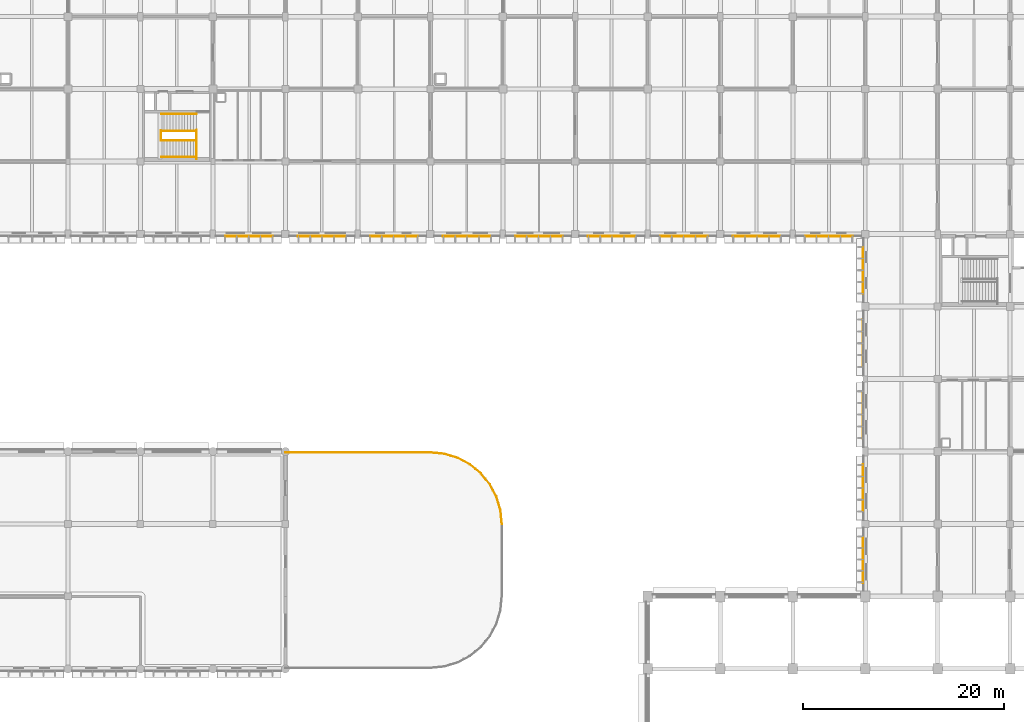
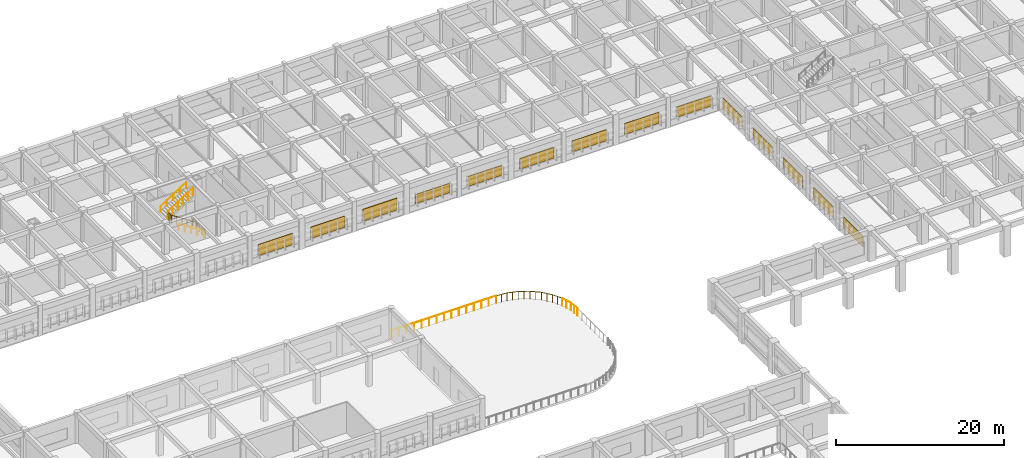
# One storey, part 60 of 61: 16 railings, 14 shading devices.
"""IFC4 building model written with IfcOpenShell, lengths in metres."""

from ifc_helpers import new_model, si_unit, direction, frame, origin, origin_2d, place, context, subcontext, project, spatial, rectangle, circle, extrude, material, layer, layer_set, type_object, element, save


model = new_model("IFC4")

# Units and contexts
model_context = context("Model", 3, precision=1e-05, world=origin(), true_north=direction((0.0, 1.0)))
body_context = subcontext(model_context, "Body", "Model", "MODEL_VIEW")
ifc_project = project(units=[si_unit("LENGTHUNIT", "METRE"), si_unit("AREAUNIT", "SQUARE_METRE"), si_unit("VOLUMEUNIT", "CUBIC_METRE"), si_unit("PLANEANGLEUNIT", "RADIAN"), si_unit("MASSUNIT", "GRAM", prefix="KILO")], contexts=[model_context])

# Site, building, storey
site_placement = place(None, origin())
site = spatial("IfcSite", under=ifc_project, at=site_placement, CompositionType="ELEMENT")
building_placement = place(site_placement, origin())
building = spatial("IfcBuilding", under=site, at=building_placement, Name="Thalmaran Polytechnic", CompositionType="ELEMENT")
storey_placement = place(building_placement, frame((0.0, 0.0, 9.89990234375)))
storey = spatial("IfcBuildingStorey", under=building, at=storey_placement, Name="L02", CompositionType="ELEMENT", Elevation=9.89990234375)

# Railings
ifc_material_1 = material(Name="Stainless steel 316 and laminated glass", Category="steel")
railing_type_1 = type_object("IfcRailingType", Name="RL-BL01", PredefinedType="BALUSTRADE", material=ifc_material_1)
railing_1_placement = place(storey_placement, frame((72.010009765625, 71.89990234375, 0.0)))
element("IfcRailing", 1, at=railing_1_placement, inside=storey, type_object=railing_type_1, Name="Terrace Balustrade Guard L02-1-1", PredefinedType="BALUSTRADE", context=body_context, shape_type="SweptSolid", body=[
    extrude(circle(Radius=0.02392578125, at=origin_2d()), frame((0.0, 0.0, 1.1259765625), z_axis=(1.0, 0.0, 0.0), x_axis=(0.0, 1.0, 0.0)), (0.0, 0.0, 1.0), 7.237548828125),
    extrude(circle(Radius=0.02099609375, at=origin_2d()), origin(), (0.0, 0.0, 1.0), 1.101806640625),
    extrude(circle(Radius=0.02099609375, at=origin_2d()), frame((1.033935546875, 0.0, 0.0)), (0.0, 0.0, 1.0), 1.101806640625),
    extrude(circle(Radius=0.02099609375, at=origin_2d()), frame((2.06787109375, 0.0, 0.0)), (0.0, 0.0, 1.0), 1.101806640625),
    extrude(circle(Radius=0.02099609375, at=origin_2d()), frame((3.101806640625, 0.0, 0.0)), (0.0, 0.0, 1.0), 1.101806640625),
    extrude(circle(Radius=0.02099609375, at=origin_2d()), frame((4.1357421875, 0.0, 0.0)), (0.0, 0.0, 1.0), 1.101806640625),
    extrude(circle(Radius=0.02099609375, at=origin_2d()), frame((5.169677734375, 0.0, 0.0)), (0.0, 0.0, 1.0), 1.101806640625),
    extrude(circle(Radius=0.02099609375, at=origin_2d()), frame((6.20361328125, 0.0, 0.0)), (0.0, 0.0, 1.0), 1.101806640625),
    extrude(circle(Radius=0.02099609375, at=origin_2d()), frame((7.237548828125, 0.0, 0.0)), (0.0, 0.0, 1.0), 1.101806640625),
])
railing_2_placement = place(storey_placement, frame((79.24755859375, 71.89990234375, 0.0)))
element("IfcRailing", 2, at=railing_2_placement, inside=storey, type_object=railing_type_1, Name="Terrace Balustrade Guard L02-1-2", PredefinedType="BALUSTRADE", context=body_context, shape_type="SweptSolid", body=[
    extrude(circle(Radius=0.02392578125, at=origin_2d()), frame((0.0, 0.0, 1.1259765625), z_axis=(1.0, 0.0, 0.0), x_axis=(0.0, 1.0, 0.0)), (0.0, 0.0, 1.0), 7.1474609375),
    extrude(circle(Radius=0.02099609375, at=origin_2d()), origin(), (0.0, 0.0, 1.0), 1.101806640625),
    extrude(circle(Radius=0.02099609375, at=origin_2d()), frame((1.02099609375, 0.0, 0.0)), (0.0, 0.0, 1.0), 1.101806640625),
    extrude(circle(Radius=0.02099609375, at=origin_2d()), frame((2.042236328125, 0.0, 0.0)), (0.0, 0.0, 1.0), 1.101806640625),
    extrude(circle(Radius=0.02099609375, at=origin_2d()), frame((3.063232421875, 0.0, 0.0)), (0.0, 0.0, 1.0), 1.101806640625),
    extrude(circle(Radius=0.02099609375, at=origin_2d()), frame((4.084228515625, 0.0, 0.0)), (0.0, 0.0, 1.0), 1.101806640625),
    extrude(circle(Radius=0.02099609375, at=origin_2d()), frame((5.105224609375, 0.0, 0.0)), (0.0, 0.0, 1.0), 1.101806640625),
    extrude(circle(Radius=0.02099609375, at=origin_2d()), frame((6.12646484375, 0.0, 0.0)), (0.0, 0.0, 1.0), 1.101806640625),
    extrude(circle(Radius=0.02099609375, at=origin_2d()), frame((7.1474609375, 0.0, 0.0)), (0.0, 0.0, 1.0), 1.101806640625),
])
railing_3_placement = place(storey_placement, frame((86.39501953125, 71.89990234375, 0.0)))
element("IfcRailing", 3, at=railing_3_placement, inside=storey, type_object=railing_type_1, Name="Terrace Balustrade Guard L02-1-3", PredefinedType="BALUSTRADE", context=body_context, shape_type="SweptSolid", body=[
    extrude(circle(Radius=0.02392578125, at=origin_2d()), frame((0.0, 0.0, 1.1259765625), z_axis=(0.995198527319, -0.097876918739, 0.0), x_axis=(0.097876918739, 0.995198527319, 0.0)), (0.0, 0.0, 1.0), 1.396728515625),
    extrude(circle(Radius=0.02099609375, at=origin_2d()), origin(), (0.0, 0.0, 1.0), 1.101806640625),
    extrude(circle(Radius=0.02099609375, at=origin_2d()), frame((0.695068359375, -0.068359375, 0.0)), (0.0, 0.0, 1.0), 1.101806640625),
    extrude(circle(Radius=0.02099609375, at=origin_2d()), frame((1.39013671875, -0.13671875, 0.0)), (0.0, 0.0, 1.0), 1.101806640625),
])
railing_4_placement = place(storey_placement, frame((87.78515625, 71.76318359375, 0.0)))
element("IfcRailing", 4, at=railing_4_placement, inside=storey, type_object=railing_type_1, Name="Terrace Balustrade Guard L02-1-4", PredefinedType="BALUSTRADE", context=body_context, shape_type="SweptSolid", body=[
    extrude(circle(Radius=0.02392578125, at=origin_2d()), frame((0.0, 0.0, 1.1259765625), z_axis=(0.956928452637, -0.290323847684, 0.0), x_axis=(0.290323847684, 0.956928452637, 0.0)), (0.0, 0.0, 1.0), 1.391845703125),
    extrude(circle(Radius=0.02099609375, at=origin_2d()), origin(), (0.0, 0.0, 1.0), 1.101806640625),
    extrude(circle(Radius=0.02099609375, at=origin_2d()), frame((0.666015625, -0.2021484375, 0.0)), (0.0, 0.0, 1.0), 1.101806640625),
    extrude(circle(Radius=0.02099609375, at=origin_2d()), frame((1.331787109375, -0.404052734375, 0.0)), (0.0, 0.0, 1.0), 1.101806640625),
])
railing_5_placement = place(storey_placement, frame((89.116943359375, 71.359130859375, 0.0)))
element("IfcRailing", 5, at=railing_5_placement, inside=storey, type_object=railing_type_1, Name="Terrace Balustrade Guard L02-1-5", PredefinedType="BALUSTRADE", context=body_context, shape_type="SweptSolid", body=[
    extrude(circle(Radius=0.02392578125, at=origin_2d()), frame((0.0, 0.0, 1.1259765625), z_axis=(0.88192035123, -0.471398445147, 0.0), x_axis=(0.471398445147, 0.88192035123, 0.0)), (0.0, 0.0, 1.0), 1.3916015625),
    extrude(circle(Radius=0.02099609375, at=origin_2d()), origin(), (0.0, 0.0, 1.0), 1.101806640625),
    extrude(circle(Radius=0.02099609375, at=origin_2d()), frame((0.61376953125, -0.328125, 0.0)), (0.0, 0.0, 1.0), 1.101806640625),
    extrude(circle(Radius=0.02099609375, at=origin_2d()), frame((1.227294921875, -0.656005859375, 0.0)), (0.0, 0.0, 1.0), 1.101806640625),
])
railing_6_placement = place(storey_placement, frame((90.34423828125, 70.703125, 0.0)))
element("IfcRailing", 6, at=railing_6_placement, inside=storey, type_object=railing_type_1, Name="Terrace Balustrade Guard L02-1-6", PredefinedType="BALUSTRADE", context=body_context, shape_type="SweptSolid", body=[
    extrude(circle(Radius=0.02392578125, at=origin_2d()), frame((0.0, 0.0, 1.1259765625), z_axis=(0.772987351952, -0.634421432269, 0.0), x_axis=(0.634421432269, 0.772987351952, 0.0)), (0.0, 0.0, 1.0), 1.391845703125),
    extrude(circle(Radius=0.02099609375, at=origin_2d()), origin(), (0.0, 0.0, 1.0), 1.101806640625),
    extrude(circle(Radius=0.02099609375, at=origin_2d()), frame((0.5380859375, -0.44140625, 0.0)), (0.0, 0.0, 1.0), 1.101806640625),
    extrude(circle(Radius=0.02099609375, at=origin_2d()), frame((1.075927734375, -0.883056640625, 0.0)), (0.0, 0.0, 1.0), 1.101806640625),
])
railing_7_placement = place(storey_placement, frame((91.420166015625, 69.820068359375, 0.0)))
element("IfcRailing", 7, at=railing_7_placement, inside=storey, type_object=railing_type_1, Name="Terrace Balustrade Guard L02-1-7", PredefinedType="BALUSTRADE", context=body_context, shape_type="SweptSolid", body=[
    extrude(circle(Radius=0.02392578125, at=origin_2d()), frame((0.0, 0.0, 1.1259765625), z_axis=(0.634402640412, -0.773002774794, 0.0), x_axis=(0.773002774794, 0.634402640412, 0.0)), (0.0, 0.0, 1.0), 1.3916015625),
    extrude(circle(Radius=0.02099609375, at=origin_2d()), origin(), (0.0, 0.0, 1.0), 1.101806640625),
    extrude(circle(Radius=0.02099609375, at=origin_2d()), frame((0.44140625, -0.537841796875, 0.0)), (0.0, 0.0, 1.0), 1.101806640625),
    extrude(circle(Radius=0.02099609375, at=origin_2d()), frame((0.8828125, -1.07568359375, 0.0)), (0.0, 0.0, 1.0), 1.101806640625),
])
railing_8_placement = place(storey_placement, frame((92.302978515625, 68.744384765625, 0.0)))
element("IfcRailing", 8, at=railing_8_placement, inside=storey, type_object=railing_type_1, Name="Terrace Balustrade Guard L02-1-8", PredefinedType="BALUSTRADE", context=body_context, shape_type="SweptSolid", body=[
    extrude(circle(Radius=0.02392578125, at=origin_2d()), frame((0.0, 0.0, 1.1259765625), z_axis=(0.471325519482, -0.881959327115, 0.0), x_axis=(0.881959327115, 0.471325519482, 0.0)), (0.0, 0.0, 1.0), 1.391845703125),
    extrude(circle(Radius=0.02099609375, at=origin_2d()), origin(), (0.0, 0.0, 1.0), 1.101806640625),
    extrude(circle(Radius=0.02099609375, at=origin_2d()), frame((0.328125, -0.61376953125, 0.0)), (0.0, 0.0, 1.0), 1.101806640625),
    extrude(circle(Radius=0.02099609375, at=origin_2d()), frame((0.656005859375, -1.2275390625, 0.0)), (0.0, 0.0, 1.0), 1.101806640625),
])
railing_9_placement = place(storey_placement, frame((92.958984375, 67.516845703125, 0.0)))
element("IfcRailing", 9, at=railing_9_placement, inside=storey, type_object=railing_type_1, Name="Terrace Balustrade Guard L02-1-9", PredefinedType="BALUSTRADE", context=body_context, shape_type="SweptSolid", body=[
    extrude(circle(Radius=0.02392578125, at=origin_2d()), frame((0.0, 0.0, 1.1259765625), z_axis=(0.290323847684, -0.956928452637, 0.0), x_axis=(0.956928452637, 0.290323847684, 0.0)), (0.0, 0.0, 1.0), 1.391845703125),
    extrude(circle(Radius=0.02099609375, at=origin_2d()), origin(), (0.0, 0.0, 1.0), 1.101806640625),
    extrude(circle(Radius=0.02099609375, at=origin_2d()), frame((0.2021484375, -0.666015625, 0.0)), (0.0, 0.0, 1.0), 1.101806640625),
    extrude(circle(Radius=0.02099609375, at=origin_2d()), frame((0.404052734375, -1.331787109375, 0.0)), (0.0, 0.0, 1.0), 1.101806640625),
])
railing_10_placement = place(storey_placement, frame((93.363037109375, 66.18505859375, 0.0)))
element("IfcRailing", 10, at=railing_10_placement, inside=storey, type_object=railing_type_1, Name="Terrace Balustrade Guard L02-1-10", PredefinedType="BALUSTRADE", context=body_context, shape_type="SweptSolid", body=[
    extrude(circle(Radius=0.02392578125, at=origin_2d()), frame((0.0, 0.0, 1.1259765625), z_axis=(0.098067077419, -0.995179807033, 0.0), x_axis=(0.995179807033, 0.098067077419, 0.0)), (0.0, 0.0, 1.0), 1.396728515625),
    extrude(circle(Radius=0.02099609375, at=origin_2d()), origin(), (0.0, 0.0, 1.0), 1.101806640625),
    extrude(circle(Radius=0.02099609375, at=origin_2d()), frame((0.068359375, -0.69482421875, 0.0)), (0.0, 0.0, 1.0), 1.101806640625),
    extrude(circle(Radius=0.02099609375, at=origin_2d()), frame((0.136962890625, -1.389892578125, 0.0)), (0.0, 0.0, 1.0), 1.101806640625),
])
ifc_material_2 = material(Name="Stainless steel 316", Category="steel")
railing_type_2 = type_object("IfcRailingType", Name="RL-GR01", PredefinedType="GUARDRAIL", material=ifc_material_2)
railing_11_placement = place(storey_placement, frame((63.169921875, 101.050048828125, 0.0)))
element("IfcRailing", 11, at=railing_11_placement, inside=storey, type_object=railing_type_2, Name="ST6 L02 Landing Edge Guardrail", PredefinedType="GUARDRAIL", context=body_context, shape_type="SweptSolid", body=[
    extrude(circle(Radius=0.02392578125, at=origin_2d()), frame((0.0, 0.0, 1.1259765625), z_axis=(0.0, 1.0, 0.0), x_axis=(-1.0, 0.0, 0.0)), (0.0, 0.0, 1.0), 2.869873046875),
    extrude(circle(Radius=0.02099609375, at=origin_2d()), origin(), (0.0, 0.0, 1.0), 1.101806640625),
    extrude(circle(Radius=0.02099609375, at=origin_2d()), frame((0.0, 0.717529296875, 0.0)), (0.0, 0.0, 1.0), 1.101806640625),
    extrude(circle(Radius=0.02099609375, at=origin_2d()), frame((0.0, 1.43505859375, 0.0)), (0.0, 0.0, 1.0), 1.101806640625),
    extrude(circle(Radius=0.02099609375, at=origin_2d()), frame((0.0, 2.15234375, 0.0)), (0.0, 0.0, 1.0), 1.101806640625),
    extrude(circle(Radius=0.02099609375, at=origin_2d()), frame((0.0, 2.869873046875, 0.0)), (0.0, 0.0, 1.0), 1.101806640625),
])
railing_12_placement = place(storey_placement, frame((63.159912109375, 102.919921875, 0.0)))
element("IfcRailing", 12, at=railing_12_placement, inside=storey, type_object=railing_type_2, Name="ST6 L02 Lower Flight Guardrail", PredefinedType="GUARDRAIL", context=body_context, shape_type="SweptSolid", body=[
    extrude(circle(Radius=0.02392578125, at=origin_2d()), frame((0.0, 0.0, 1.1259765625), z_axis=(-0.841178475377, 0.0, 0.540757591313), x_axis=(0.0, -1.0, 0.0)), (0.0, 0.0, 1.0), 4.160888671875),
    extrude(circle(Radius=0.02099609375, at=origin_2d()), origin(), (0.0, 0.0, 1.0), 1.101806640625),
    extrude(circle(Radius=0.02099609375, at=origin_2d()), frame((-0.699951171875, 0.0, 0.449951171875)), (0.0, 0.0, 1.0), 1.101806640625),
    extrude(circle(Radius=0.02099609375, at=origin_2d()), frame((-1.39990234375, 0.0, 0.89990234375)), (0.0, 0.0, 1.0), 1.101806640625),
    extrude(circle(Radius=0.02099609375, at=origin_2d()), frame((-2.10009765625, 0.0, 1.35009765625)), (0.0, 0.0, 1.0), 1.101806640625),
    extrude(circle(Radius=0.02099609375, at=origin_2d()), frame((-2.800048828125, 0.0, 1.800048828125)), (0.0, 0.0, 1.0), 1.101806640625),
    extrude(circle(Radius=0.02099609375, at=origin_2d()), frame((-3.5, 0.0, 2.25)), (0.0, 0.0, 1.0), 1.101806640625),
])
railing_13_placement = place(storey_placement, frame((59.6201171875, 102.89990234375, 2.25)))
element("IfcRailing", 13, at=railing_13_placement, inside=storey, type_object=railing_type_2, Name="ST6 L02 Half-Landing Well Guardrail", PredefinedType="GUARDRAIL", context=body_context, shape_type="SweptSolid", body=[
    extrude(circle(Radius=0.02392578125, at=origin_2d()), frame((0.0, 0.0, 1.1259765625), z_axis=(0.0, 1.0, 0.0), x_axis=(-1.0, 0.0, 0.0)), (0.0, 0.0, 1.0), 0.97998046875),
    extrude(circle(Radius=0.02099609375, at=origin_2d()), origin(), (0.0, 0.0, 1.0), 1.101806640625),
    extrude(circle(Radius=0.02099609375, at=origin_2d()), frame((0.0, 0.32666015625, 0.0)), (0.0, 0.0, 1.0), 1.101806640625),
    extrude(circle(Radius=0.02099609375, at=origin_2d()), frame((0.0, 0.6533203125, 0.0)), (0.0, 0.0, 1.0), 1.101806640625),
    extrude(circle(Radius=0.02099609375, at=origin_2d()), frame((0.0, 0.97998046875, 0.0)), (0.0, 0.0, 1.0), 1.101806640625),
])
railing_14_placement = place(storey_placement, frame((59.659912109375, 103.860107421875, 2.25)))
element("IfcRailing", 14, at=railing_14_placement, inside=storey, type_object=railing_type_2, Name="ST6 L02 Upper Flight Guardrail", PredefinedType="GUARDRAIL", context=body_context, shape_type="SweptSolid", body=[
    extrude(circle(Radius=0.02392578125, at=origin_2d()), frame((0.0, 0.0, 1.1259765625), z_axis=(0.841178475377, 0.0, 0.540757591313), x_axis=(0.0, 1.0, 0.0)), (0.0, 0.0, 1.0), 4.160888671875),
    extrude(circle(Radius=0.02099609375, at=origin_2d()), origin(), (0.0, 0.0, 1.0), 1.101806640625),
    extrude(circle(Radius=0.02099609375, at=origin_2d()), frame((0.699951171875, 0.0, 0.449951171875)), (0.0, 0.0, 1.0), 1.101806640625),
    extrude(circle(Radius=0.02099609375, at=origin_2d()), frame((1.39990234375, 0.0, 0.89990234375)), (0.0, 0.0, 1.0), 1.101806640625),
    extrude(circle(Radius=0.02099609375, at=origin_2d()), frame((2.10009765625, 0.0, 1.35009765625)), (0.0, 0.0, 1.0), 1.101806640625),
    extrude(circle(Radius=0.02099609375, at=origin_2d()), frame((2.800048828125, 0.0, 1.800048828125)), (0.0, 0.0, 1.0), 1.101806640625),
    extrude(circle(Radius=0.02099609375, at=origin_2d()), frame((3.5, 0.0, 2.25)), (0.0, 0.0, 1.0), 1.101806640625),
])
railing_type_3 = type_object("IfcRailingType", Name="RL-HR01", PredefinedType="HANDRAIL", material=ifc_material_2)
railing_15_placement = place(storey_placement, frame((63.159912109375, 101.280029296875, 0.0)))
element("IfcRailing", 15, at=railing_15_placement, inside=storey, type_object=railing_type_3, Name="ST6 L02 Flight 1 Handrail", PredefinedType="HANDRAIL", context=body_context, shape_type="SweptSolid", body=[
    extrude(circle(Radius=0.02392578125, at=origin_2d()), frame((0.0, 0.0, 0.8759765625), z_axis=(-0.841178475377, 0.0, 0.540757591313), x_axis=(0.0, -1.0, 0.0)), (0.0, 0.0, 1.0), 4.160888671875),
    extrude(circle(Radius=0.02099609375, at=origin_2d()), origin(), (0.0, 0.0, 1.0), 0.851806640625),
    extrude(circle(Radius=0.02099609375, at=origin_2d()), frame((-0.875, 0.0, 0.5625)), (0.0, 0.0, 1.0), 0.851806640625),
    extrude(circle(Radius=0.02099609375, at=origin_2d()), frame((-1.75, 0.0, 1.125)), (0.0, 0.0, 1.0), 0.851806640625),
    extrude(circle(Radius=0.02099609375, at=origin_2d()), frame((-2.625, 0.0, 1.6875)), (0.0, 0.0, 1.0), 0.851806640625),
    extrude(circle(Radius=0.02099609375, at=origin_2d()), frame((-3.5, 0.0, 2.25)), (0.0, 0.0, 1.0), 0.851806640625),
])
railing_16_placement = place(storey_placement, frame((59.659912109375, 105.52001953125, 2.25)))
element("IfcRailing", 16, at=railing_16_placement, inside=storey, type_object=railing_type_3, Name="ST6 L02 Flight 2 Handrail", PredefinedType="HANDRAIL", context=body_context, shape_type="SweptSolid", body=[
    extrude(circle(Radius=0.02392578125, at=origin_2d()), frame((0.0, 0.0, 0.8759765625), z_axis=(0.841178475377, 0.0, 0.540757591313), x_axis=(0.0, 1.0, 0.0)), (0.0, 0.0, 1.0), 4.160888671875),
    extrude(circle(Radius=0.02099609375, at=origin_2d()), origin(), (0.0, 0.0, 1.0), 0.851806640625),
    extrude(circle(Radius=0.02099609375, at=origin_2d()), frame((0.875, 0.0, 0.5625)), (0.0, 0.0, 1.0), 0.851806640625),
    extrude(circle(Radius=0.02099609375, at=origin_2d()), frame((1.75, 0.0, 1.125)), (0.0, 0.0, 1.0), 0.851806640625),
    extrude(circle(Radius=0.02099609375, at=origin_2d()), frame((2.625, 0.0, 1.6875)), (0.0, 0.0, 1.0), 0.851806640625),
    extrude(circle(Radius=0.02099609375, at=origin_2d()), frame((3.5, 0.0, 2.25)), (0.0, 0.0, 1.0), 0.851806640625),
])

# Shading devices
ifc_material_3 = material(Name="Perforated anodised-bronze aluminium screen", Category="aluminium")
ifc_layer = layer(ifc_material_3, 0.080078125, Name="Perforated anodised-bronze aluminium screen")
ifc_layer_set = layer_set([ifc_layer], Name="Perforated anodised-bronze aluminium screen")
shading_device_type = type_object("IfcShadingDeviceType", Name="SH-JL01", PredefinedType="JALOUSIE", material=ifc_layer_set)
shading_device_1_placement = place(storey_placement, frame((90.0, 93.3798828125, 1.025146484375), z_axis=(0.0, 0.0, 1.0), x_axis=(-1.0, 0.0, 0.0)))
element("IfcShadingDevice", 17, at=shading_device_1_placement, inside=storey, type_object=shading_device_type, Name="Anodised-Bronze Mashrabiya Solar Screen L02-099", PredefinedType="JALOUSIE", context=body_context, shape_type="SweptSolid", body=[
    extrude(rectangle(XDim=4.716064453125, YDim=0.080078125, at=origin_2d()), origin(), (0.0, 0.0, 1.0), 1.35009765625),
])
shading_device_2_placement = place(storey_placement, frame((82.800048828125, 93.3798828125, 1.025146484375), z_axis=(0.0, 0.0, 1.0), x_axis=(-1.0, 0.0, 0.0)))
element("IfcShadingDevice", 18, at=shading_device_2_placement, inside=storey, type_object=shading_device_type, Name="Anodised-Bronze Mashrabiya Solar Screen L02-100", PredefinedType="JALOUSIE", context=body_context, shape_type="SweptSolid", body=[
    extrude(rectangle(XDim=4.716064453125, YDim=0.080078125, at=origin_2d()), origin(), (0.0, 0.0, 1.0), 1.75),
])
for number, where, z_axis, x_axis, name in (
    (19, (75.60009765625, 93.3798828125, 1.025146484375), (0.0, 0.0, 1.0), (-1.0, 0.0, 0.0), "Anodised-Bronze Mashrabiya Solar Screen L02-101"),
    (20, (68.39990234375, 93.3798828125, 1.025146484375), (0.0, 0.0, 1.0), (-1.0, 0.0, 0.0), "Anodised-Bronze Mashrabiya Solar Screen L02-102"),
):
    element("IfcShadingDevice", number, at=place(storey_placement, frame(where, z_axis=z_axis, x_axis=x_axis)), inside=storey, type_object=shading_device_type, Name=name, PredefinedType="JALOUSIE", context=body_context, shape_type="SweptSolid", body=[
        extrude(rectangle(XDim=4.716064453125, YDim=0.080078125, at=origin_2d()), origin(), (0.0, 0.0, 1.0), 1.64990234375),
    ])
shading_device_3_placement = place(storey_placement, frame((129.3798828125, 61.199951171875, 1.025146484375), z_axis=(0.0, 0.0, 1.0), x_axis=(0.0, 1.0, 0.0)))
element("IfcShadingDevice", 21, at=shading_device_3_placement, inside=storey, type_object=shading_device_type, Name="Anodised-Bronze Mashrabiya Solar Screen L02-159", PredefinedType="JALOUSIE", context=body_context, shape_type="SweptSolid", body=[
    extrude(rectangle(XDim=4.553955078125, YDim=0.080078125, at=origin_2d()), origin(), (0.0, 0.0, 1.0), 1.60009765625),
])
shading_device_4_placement = place(storey_placement, frame((129.3798828125, 68.39990234375, 1.02490234375), z_axis=(0.0, 0.0, 1.0), x_axis=(0.0, 1.0, 0.0)))
element("IfcShadingDevice", 22, at=shading_device_4_placement, inside=storey, type_object=shading_device_type, Name="Anodised-Bronze Mashrabiya Solar Screen L02-160", PredefinedType="JALOUSIE", context=body_context, shape_type="SweptSolid", body=[
    extrude(rectangle(XDim=4.6259765625, YDim=0.080078125, at=origin_2d()), origin(), (0.0, 0.0, 1.0), 1.550048828125),
])
shading_device_5_placement = place(storey_placement, frame((129.3798828125, 75.60009765625, 1.025146484375), z_axis=(0.0, 0.0, 1.0), x_axis=(0.0, 1.0, 0.0)))
element("IfcShadingDevice", 23, at=shading_device_5_placement, inside=storey, type_object=shading_device_type, Name="Anodised-Bronze Mashrabiya Solar Screen L02-161", PredefinedType="JALOUSIE", context=body_context, shape_type="SweptSolid", body=[
    extrude(rectangle(XDim=4.662109375, YDim=0.080078125, at=origin_2d()), origin(), (0.0, 0.0, 1.0), 1.5),
])
shading_device_6_placement = place(storey_placement, frame((129.3798828125, 82.800048828125, 1.02490234375), z_axis=(0.0, 0.0, 1.0), x_axis=(0.0, 1.0, 0.0)))
element("IfcShadingDevice", 24, at=shading_device_6_placement, inside=storey, type_object=shading_device_type, Name="Anodised-Bronze Mashrabiya Solar Screen L02-162", PredefinedType="JALOUSIE", context=body_context, shape_type="SweptSolid", body=[
    extrude(rectangle(XDim=4.687255859375, YDim=0.080078125, at=origin_2d()), origin(), (0.0, 0.0, 1.0), 1.449951171875),
])
shading_device_7_placement = place(storey_placement, frame((129.3798828125, 90.0, 1.02490234375), z_axis=(0.0, 0.0, 1.0), x_axis=(0.0, 1.0, 0.0)))
element("IfcShadingDevice", 25, at=shading_device_7_placement, inside=storey, type_object=shading_device_type, Name="Anodised-Bronze Mashrabiya Solar Screen L02-163", PredefinedType="JALOUSIE", context=body_context, shape_type="SweptSolid", body=[
    extrude(rectangle(XDim=4.63330078125, YDim=0.080078125, at=origin_2d()), origin(), (0.0, 0.0, 1.0), 1.449951171875),
])
shading_device_8_placement = place(storey_placement, frame((126.0, 93.3798828125, 1.025146484375), z_axis=(0.0, 0.0, 1.0), x_axis=(-1.0, 0.0, 0.0)))
element("IfcShadingDevice", 26, at=shading_device_8_placement, inside=storey, type_object=shading_device_type, Name="Anodised-Bronze Mashrabiya Solar Screen L02-164", PredefinedType="JALOUSIE", context=body_context, shape_type="SweptSolid", body=[
    extrude(rectangle(XDim=4.716064453125, YDim=0.080078125, at=origin_2d()), origin(), (0.0, 0.0, 1.0), 1.5),
])
for number, where, z_axis, x_axis, name in (
    (27, (118.800048828125, 93.3798828125, 1.025146484375), (0.0, 0.0, 1.0), (-1.0, 0.0, 0.0), "Anodised-Bronze Mashrabiya Solar Screen L02-165"),
    (28, (111.60009765625, 93.3798828125, 1.025146484375), (0.0, 0.0, 1.0), (-1.0, 0.0, 0.0), "Anodised-Bronze Mashrabiya Solar Screen L02-166"),
):
    element("IfcShadingDevice", number, at=place(storey_placement, frame(where, z_axis=z_axis, x_axis=x_axis)), inside=storey, type_object=shading_device_type, Name=name, PredefinedType="JALOUSIE", context=body_context, shape_type="SweptSolid", body=[
        extrude(rectangle(XDim=4.716064453125, YDim=0.080078125, at=origin_2d()), origin(), (0.0, 0.0, 1.0), 1.60009765625),
    ])
shading_device_9_placement = place(storey_placement, frame((104.39990234375, 93.3798828125, 1.02490234375), z_axis=(0.0, 0.0, 1.0), x_axis=(-1.0, 0.0, 0.0)))
element("IfcShadingDevice", 29, at=shading_device_9_placement, inside=storey, type_object=shading_device_type, Name="Anodised-Bronze Mashrabiya Solar Screen L02-167", PredefinedType="JALOUSIE", context=body_context, shape_type="SweptSolid", body=[
    extrude(rectangle(XDim=4.716064453125, YDim=0.080078125, at=origin_2d()), origin(), (0.0, 0.0, 1.0), 1.550048828125),
])
shading_device_10_placement = place(storey_placement, frame((97.199951171875, 93.3798828125, 1.02490234375), z_axis=(0.0, 0.0, 1.0), x_axis=(-1.0, 0.0, 0.0)))
element("IfcShadingDevice", 30, at=shading_device_10_placement, inside=storey, type_object=shading_device_type, Name="Anodised-Bronze Mashrabiya Solar Screen L02-168", PredefinedType="JALOUSIE", context=body_context, shape_type="SweptSolid", body=[
    extrude(rectangle(XDim=4.716064453125, YDim=0.080078125, at=origin_2d()), origin(), (0.0, 0.0, 1.0), 1.449951171875),
])

save(model, "model.ifc")
